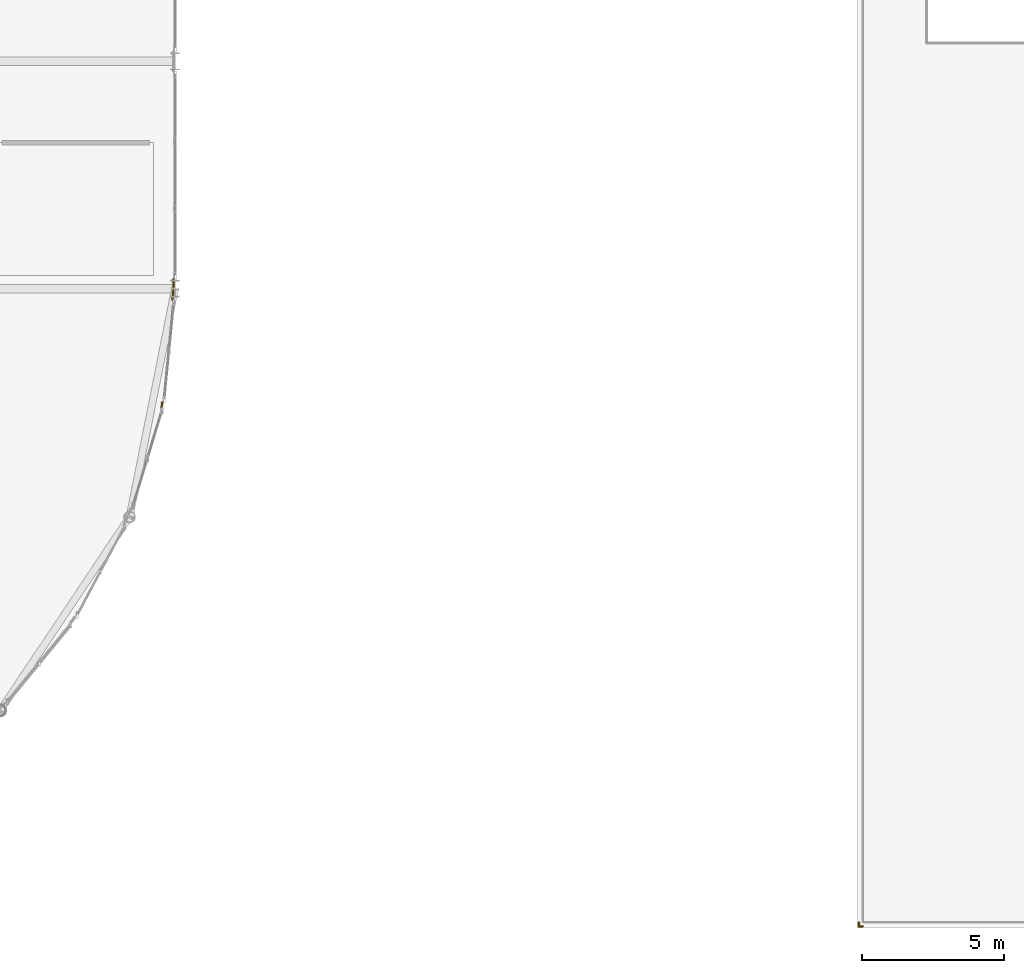
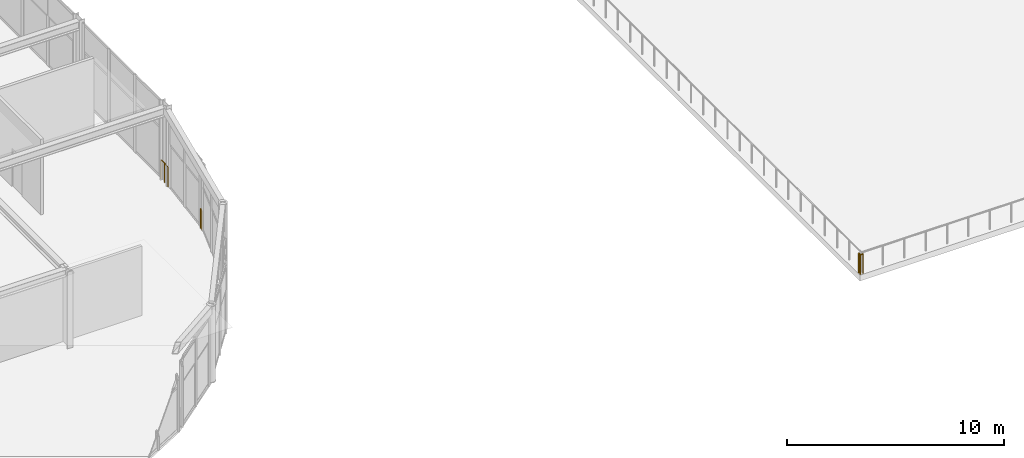
# One storey, part 96 of 105: 4 railings.
"""IFC4 building model written with IfcOpenShell, lengths in metres."""

from ifc_helpers import new_model, si_unit, direction, frame, origin, origin_2d, place, context, subcontext, project, spatial, circle, extrude, material, type_object, element, save


model = new_model("IFC4")

# Units and contexts
model_context = context("Model", 3, precision=1e-05, world=origin(), true_north=direction((0.0, 1.0)))
body_context = subcontext(model_context, "Body", "Model", "MODEL_VIEW")
ifc_project = project(units=[si_unit("LENGTHUNIT", "METRE"), si_unit("AREAUNIT", "SQUARE_METRE"), si_unit("VOLUMEUNIT", "CUBIC_METRE"), si_unit("PLANEANGLEUNIT", "RADIAN"), si_unit("MASSUNIT", "GRAM", prefix="KILO")], contexts=[model_context])

# Site, building, storey
site_placement = place(None, origin())
site = spatial("IfcSite", under=ifc_project, at=site_placement, CompositionType="ELEMENT")
building_placement = place(site_placement, origin())
building = spatial("IfcBuilding", under=site, at=building_placement, Name="Marlcrest Central Station", CompositionType="ELEMENT")
storey_placement = place(building_placement, frame((0.0, 0.0, 15.0)))
storey = spatial("IfcBuildingStorey", under=building, at=storey_placement, Name="L03", CompositionType="ELEMENT", Elevation=15.0)

# Railings
ifc_material_1 = material(Name="Galvanized painted steel balustrade", Category="steel")
railing_type_1 = type_object("IfcRailingType", Name="GR-01", PredefinedType="GUARDRAIL", material=ifc_material_1)
railing_1_placement = place(storey_placement, frame((153.06005859375, 0.06005859375, 0.0)))
element("IfcRailing", 1, at=railing_1_placement, inside=storey, type_object=railing_type_1, Name="hr-L03-00356", PredefinedType="GUARDRAIL", context=body_context, shape_type="SweptSolid", body=[
    extrude(circle(Radius=0.02392578125, at=origin_2d()), frame((0.0, 0.0, 1.09619140625), z_axis=(0.0, 1.0, 0.0), x_axis=(-1.0, 0.0, 0.0)), (0.0, 0.0, 1.0), 0.139892578125),
    extrude(circle(Radius=0.02099609375, at=origin_2d()), origin(), (0.0, 0.0, 1.0), 1.072021484375),
    extrude(circle(Radius=0.02099609375, at=origin_2d()), frame((0.0, 0.139892578125, 0.0)), (0.0, 0.0, 1.0), 1.072021484375),
])
railing_2_placement = place(storey_placement, frame((153.199951171875, 0.06005859375, 0.0)))
element("IfcRailing", 2, at=railing_2_placement, inside=storey, type_object=railing_type_1, Name="hr-L03-00361", PredefinedType="GUARDRAIL", context=body_context, shape_type="SweptSolid", body=[
    extrude(circle(Radius=0.02392578125, at=origin_2d()), frame((0.0, 0.0, 1.09619140625), z_axis=(-1.0, 0.0, 0.0), x_axis=(0.0, -1.0, 0.0)), (0.0, 0.0, 1.0), 0.139892578125),
    extrude(circle(Radius=0.02099609375, at=origin_2d()), origin(), (0.0, 0.0, 1.0), 1.072021484375),
    extrude(circle(Radius=0.02099609375, at=origin_2d()), frame((-0.139892578125, 0.0, 0.0)), (0.0, 0.0, 1.0), 1.072021484375),
])
ifc_material_2 = material(Name="Stainless steel and laminated glass concourse balustrade", Category="steel")
railing_type_2 = type_object("IfcRailingType", Name="GR-02", PredefinedType="BALUSTRADE", material=ifc_material_2)
railing_3_placement = place(storey_placement, frame((128.93994140625, 22.840087890625, 0.0)))
element("IfcRailing", 3, at=railing_3_placement, inside=storey, type_object=railing_type_2, Name="hr-L03-00430", PredefinedType="BALUSTRADE", context=body_context, shape_type="SweptSolid", body=[
    extrude(circle(Radius=0.02392578125, at=origin_2d()), frame((0.0, 0.0, 1.09619140625), z_axis=(0.0, -1.0, 0.0), x_axis=(1.0, 0.0, 0.0)), (0.0, 0.0, 1.0), 0.337158203125),
    extrude(circle(Radius=0.02392578125, at=origin_2d()), frame((0.0, -0.337158203125, 1.09619140625), z_axis=(-0.097571424031, -0.99522852512, 0.0), x_axis=(0.99522852512, -0.097571424031, 0.0)), (0.0, 0.0, 1.0), 0.387939453125),
    extrude(circle(Radius=0.02099609375, at=origin_2d()), origin(), (0.0, 0.0, 1.0), 1.072021484375),
    extrude(circle(Radius=0.02099609375, at=origin_2d()), frame((0.0, -0.337158203125, 0.0)), (0.0, 0.0, 1.0), 1.072021484375),
    extrude(circle(Radius=0.02099609375, at=origin_2d()), frame((-0.037841796875, -0.72314453125, 0.0)), (0.0, 0.0, 1.0), 1.072021484375),
])
railing_4_placement = place(storey_placement, frame((128.5458984375, 18.50390625, 0.0)))
element("IfcRailing", 4, at=railing_4_placement, inside=storey, type_object=railing_type_2, Name="hr-L03-00431", PredefinedType="BALUSTRADE", context=body_context, shape_type="SweptSolid", body=[
    extrude(circle(Radius=0.02392578125, at=origin_2d()), frame((0.0, 0.0, 1.09619140625), z_axis=(-0.0984209217, -0.995144874966, 0.0), x_axis=(0.995144874966, -0.0984209217, 0.0)), (0.0, 0.0, 1.0), 0.08935546875),
    extrude(circle(Radius=0.02392578125, at=origin_2d()), frame((-0.0087890625, -0.0888671875, 1.09619140625), z_axis=(-0.290837119501, -0.956772580042, 0.0), x_axis=(0.956772580042, -0.290837119501, 0.0)), (0.0, 0.0, 1.0), 0.08984375),
    extrude(circle(Radius=0.02099609375, at=origin_2d()), origin(), (0.0, 0.0, 1.0), 1.072021484375),
    extrude(circle(Radius=0.02099609375, at=origin_2d()), frame((-0.0087890625, -0.0888671875, 0.0)), (0.0, 0.0, 1.0), 1.072021484375),
    extrude(circle(Radius=0.02099609375, at=origin_2d()), frame((-0.034912109375, -0.1748046875, 0.0)), (0.0, 0.0, 1.0), 1.072021484375),
])

save(model, "model.ifc")
